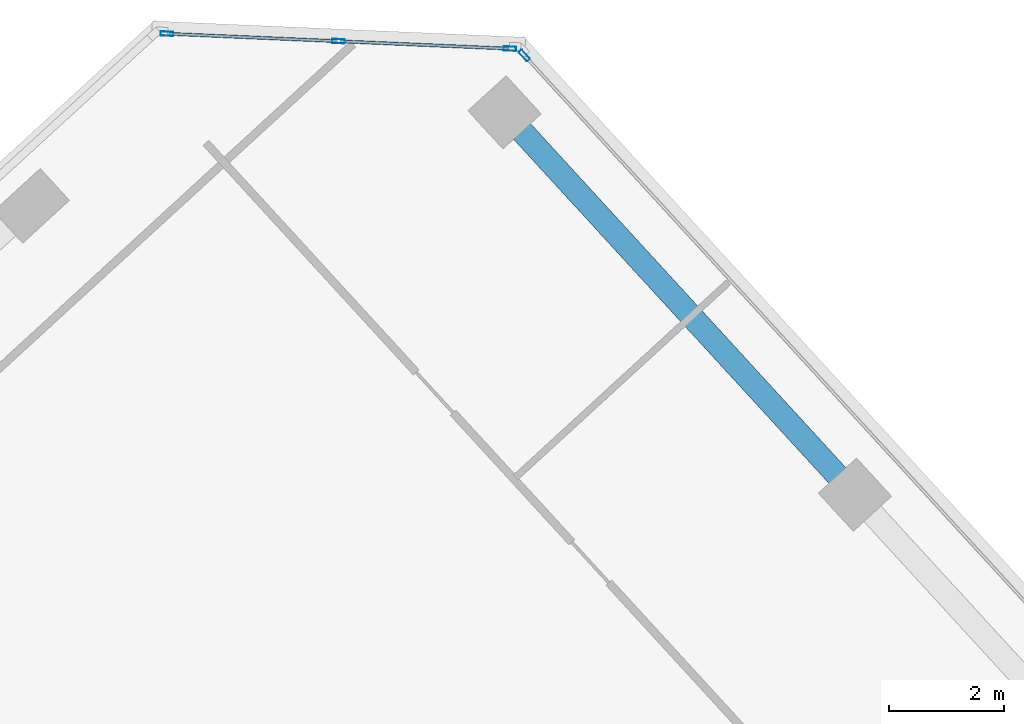
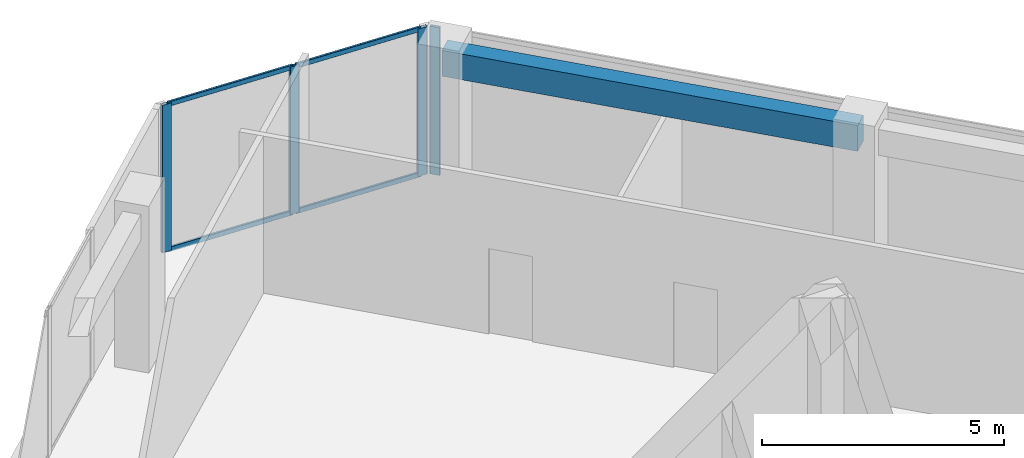
# One storey, part 10 of 18: 8 members, 1 beam, 2 elements without a shape of their own.
"""IFC4 building model written with IfcOpenShell, lengths in metres."""

from ifc_helpers import new_model, si_unit, direction, frame, origin, origin_2d, place, context, subcontext, project, spatial, rectangle, hollow_rectangle, extrude, source, transform, mapped, material, material_profile, profile_set, type_object, element, aggregate, save


model = new_model("IFC4")

# Units and contexts
model_context = context("Model", 3, precision=1e-05, world=origin(), true_north=direction((0.0, 1.0)))
body_context = subcontext(model_context, "Body", "Model", "MODEL_VIEW")
ifc_project = project(units=[si_unit("LENGTHUNIT", "METRE"), si_unit("AREAUNIT", "SQUARE_METRE"), si_unit("VOLUMEUNIT", "CUBIC_METRE"), si_unit("PLANEANGLEUNIT", "RADIAN"), si_unit("MASSUNIT", "GRAM", prefix="KILO")], contexts=[model_context])

# Site, building, storey
site_placement = place(None, origin())
site = spatial("IfcSite", under=ifc_project, at=site_placement, CompositionType="ELEMENT")
building_placement = place(site_placement, origin())
building = spatial("IfcBuilding", under=site, at=building_placement, Name="Torre Montelarca", CompositionType="ELEMENT")
storey_placement = place(building_placement, frame((0.0, 0.0, 258.39990234375)))
storey = spatial("IfcBuildingStorey", under=building, at=storey_placement, Name="L58", CompositionType="ELEMENT", Elevation=258.39990234375)

# Beam
ifc_material_1 = material(Name="Concrete C40/50", Category="concrete")
ifc_material_profile_1 = material_profile(ifc_material_1, rectangle(XDim=0.39990234375, YDim=0.64990234375, at=origin_2d()), Name="RCB400X650", Category="concrete")
ifc_profile_set_1 = profile_set([ifc_material_profile_1], Name="Concrete C40/50")
beam_type = type_object("IfcBeamType", Name="BM-SP-RC650-EXT", PredefinedType="SPANDREL", material=ifc_profile_set_1)
shared_shape_1 = source(origin(), body_context, "Body", "SweptSolid", [
    extrude(rectangle(XDim=0.39990234375, YDim=0.64990234375, at=origin_2d()), origin(), (0.0, 0.0, 1.0), 9.0),
])
beam_placement = place(storey_placement, frame((24.224853515625, 51.451171875, 3.635009765625), z_axis=(0.675590724023, -0.73727686361, 0.0), x_axis=(0.73727686361, 0.675590724023, 0.0)))
element("IfcBeam", 1, at=beam_placement, inside=storey, type_object=beam_type, Name="L58 Grid Girder X 9.0-18.0 at Y=47.1", PredefinedType="SPANDREL", context=body_context, shape_type="MappedRepresentation", body=[
    mapped(shared_shape_1, transform((0.0, 0.0, 0.0), scale=1.0)),
])

# Curtain wall, members
ifc_material_2 = material(Name="Insulated low-E laminated glass", Category="glass")
curtain_wall_type = type_object("IfcCurtainWallType", Name="CW-SYS-Z3", PredefinedType="USERDEFINED", material=ifc_material_2)
curtain_wall_1_placement = place(storey_placement, origin())
curtain_wall_1 = element("IfcCurtainWall", 2, at=curtain_wall_1_placement, inside=storey, type_object=curtain_wall_type, Name="L58 Curtain Wall Run CW-T3-L58-E09-B1", ObjectType="UNITISED GLAZING", PredefinedType="USERDEFINED")
ifc_material_3 = material(Name="Anodised aluminium AA 6063-T6", Category="aluminium")
ifc_material_profile_2 = material_profile(ifc_material_3, hollow_rectangle(XDim=0.054931640625, YDim=0.1201171875, WallThickness=0.00341796875, InnerFilletRadius=0.00341796875, OuterFilletRadius=0.007080078125, at=origin_2d()), Name="ALU55X120X3.5", Category="aluminium")
ifc_profile_set_2 = profile_set([ifc_material_profile_2], Name="Anodised aluminium AA 6063-T6")
member_type_1 = type_object("IfcMemberType", Name="CWT-ALU120", PredefinedType="USERDEFINED", material=ifc_profile_set_2)
shared_shape_2 = source(origin(), body_context, "Body", "SweptSolid", [
    extrude(hollow_rectangle(XDim=0.054931640625, YDim=0.1201171875, WallThickness=0.00341796875, InnerFilletRadius=0.00341796875, OuterFilletRadius=0.007080078125, at=origin_2d()), origin(), (0.0, 0.0, 1.0), 2.903564453125),
])
member_1_placement = place(storey_placement, frame((24.27978515625, 52.557373046875, 0.027587890625), z_axis=(-0.99905107494, 0.043553985593, 0.0), x_axis=(-0.043553985593, -0.99905107494, 0.0)))
member_1 = element("IfcMember", 3, at=member_1_placement, type_object=member_type_1, Name="CW transom 1.1", ObjectType="TRANSOM", PredefinedType="USERDEFINED", context=body_context, shape_type="MappedRepresentation", body=[
    mapped(shared_shape_2, transform((0.0, 0.0, 0.0), scale=1.0)),
])
member_2_placement = place(storey_placement, frame((24.27978515625, 52.557373046875, 3.692626953125), z_axis=(-0.99905107494, 0.043553985593, 0.0), x_axis=(-0.043553985593, -0.99905107494, 0.0)))
member_2 = element("IfcMember", 4, at=member_2_placement, type_object=member_type_1, Name="CW transom 1.2", ObjectType="TRANSOM", PredefinedType="USERDEFINED", context=body_context, shape_type="MappedRepresentation", body=[
    mapped(shared_shape_2, transform((0.0, 0.0, 0.0), scale=1.0)),
])
member_3_placement = place(storey_placement, frame((21.303955078125, 52.687255859375, 0.027587890625), z_axis=(-0.99905107494, 0.043553985593, 0.0), x_axis=(-0.043553985593, -0.99905107494, 0.0)))
member_3 = element("IfcMember", 5, at=member_3_placement, type_object=member_type_1, Name="CW transom 2.1", ObjectType="TRANSOM", PredefinedType="USERDEFINED", context=body_context, shape_type="MappedRepresentation", body=[
    mapped(shared_shape_2, transform((0.0, 0.0, 0.0), scale=1.0)),
])
member_4_placement = place(storey_placement, frame((21.303955078125, 52.687255859375, 3.692626953125), z_axis=(-0.99905107494, 0.043553985593, 0.0), x_axis=(-0.043553985593, -0.99905107494, 0.0)))
member_4 = element("IfcMember", 6, at=member_4_placement, type_object=member_type_1, Name="CW transom 2.2", ObjectType="TRANSOM", PredefinedType="USERDEFINED", context=body_context, shape_type="MappedRepresentation", body=[
    mapped(shared_shape_2, transform((0.0, 0.0, 0.0), scale=1.0)),
])

# Curtain wall, member
curtain_wall_2_placement = place(storey_placement, origin())
curtain_wall_2 = element("IfcCurtainWall", 7, at=curtain_wall_2_placement, inside=storey, type_object=curtain_wall_type, Name="L58 Curtain Wall Run CW-T3-L58-E08-B1", ObjectType="UNITISED GLAZING", PredefinedType="USERDEFINED")
ifc_material_profile_3 = material_profile(ifc_material_3, hollow_rectangle(XDim=0.074951171875, YDim=0.219970703125, WallThickness=0.0048828125, InnerFilletRadius=0.0048828125, OuterFilletRadius=0.010009765625, at=origin_2d()), Name="ALU75X220X5", Category="aluminium")
ifc_profile_set_3 = profile_set([ifc_material_profile_3], Name="Anodised aluminium AA 6063-T6")
member_type_2 = type_object("IfcMemberType", Name="CWM-ALU220", PredefinedType="MULLION", material=ifc_profile_set_3)
shared_shape_3 = source(origin(), body_context, "Body", "SweptSolid", [
    extrude(hollow_rectangle(XDim=0.074951171875, YDim=0.219970703125, WallThickness=0.0048828125, InnerFilletRadius=0.0048828125, OuterFilletRadius=0.010009765625, at=origin_2d()), origin(), (0.0, 0.0, 1.0), 3.72021484375),
])
member_5_placement = place(storey_placement, frame((24.567626953125, 52.43896484375, 0.0), z_axis=(0.0, 0.0, 1.0), x_axis=(-0.737280422496, -0.675586840165, 0.0)))
member_5 = element("IfcMember", 8, at=member_5_placement, type_object=member_type_2, Name="CW mullion 3", PredefinedType="MULLION", context=body_context, shape_type="MappedRepresentation", body=[
    mapped(shared_shape_3, transform((0.0, 0.0, 0.0), scale=1.0)),
])
aggregate(curtain_wall_2, [member_5])

# Member
member_6_placement = place(storey_placement, frame((24.317138671875, 52.5556640625, 0.0), z_axis=(0.0, 0.0, 1.0), x_axis=(-0.043615635968, -0.999048385364, 0.0)))
member_6 = element("IfcMember", 9, at=member_6_placement, type_object=member_type_2, Name="CW mullion 1", PredefinedType="MULLION", context=body_context, shape_type="MappedRepresentation", body=[
    mapped(shared_shape_3, transform((0.0, 0.0, 0.0), scale=1.0)),
])

member_7_placement = place(storey_placement, frame((21.341552734375, 52.685546875, 0.0), z_axis=(0.0, 0.0, 1.0), x_axis=(-0.043615635968, -0.999048385364, 0.0)))
member_7 = element("IfcMember", 10, at=member_7_placement, type_object=member_type_2, Name="CW mullion 2", PredefinedType="MULLION", context=body_context, shape_type="MappedRepresentation", body=[
    mapped(shared_shape_3, transform((0.0, 0.0, 0.0), scale=1.0)),
])

member_8_placement = place(storey_placement, frame((18.36572265625, 52.8154296875, 0.0), z_axis=(0.0, 0.0, 1.0), x_axis=(-0.043615635968, -0.999048385364, 0.0)))
member_8 = element("IfcMember", 11, at=member_8_placement, type_object=member_type_2, Name="CW mullion 3", PredefinedType="MULLION", context=body_context, shape_type="MappedRepresentation", body=[
    mapped(shared_shape_3, transform((0.0, 0.0, 0.0), scale=1.0)),
])

aggregate(curtain_wall_1, [member_6, member_7, member_8, member_1, member_2, member_3, member_4])

save(model, "model.ifc")
